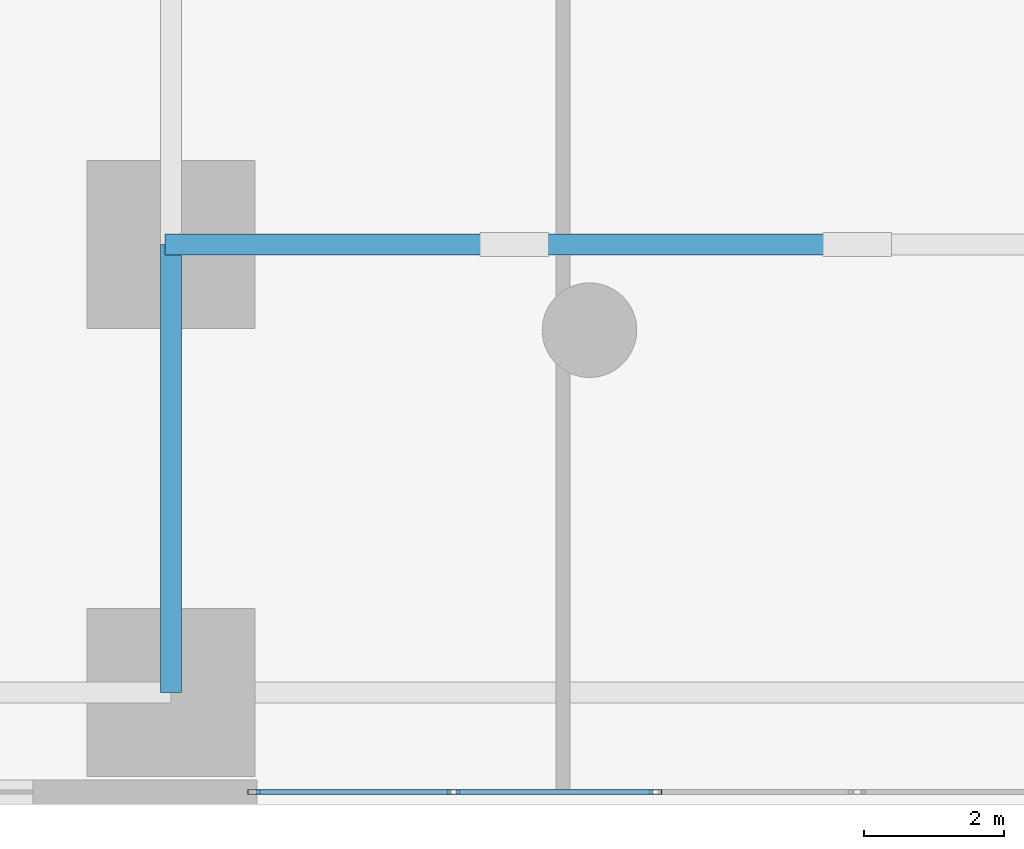
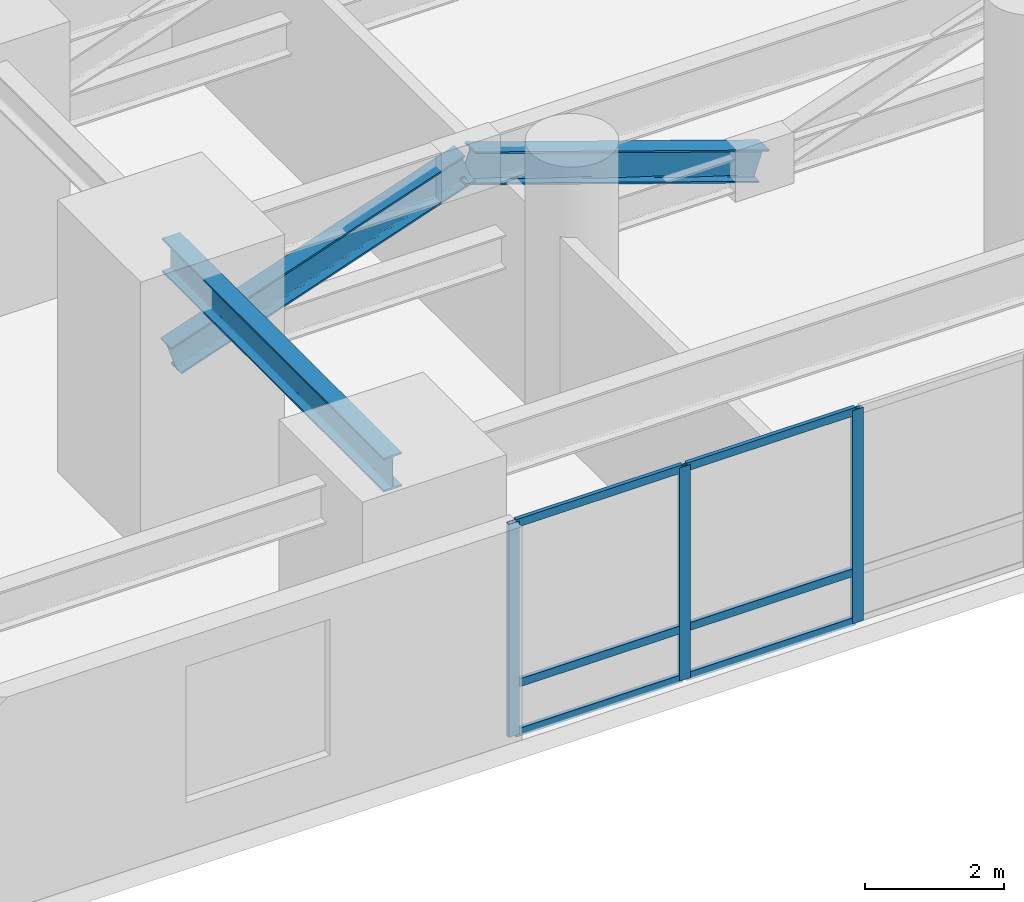
# One storey, part 2 of 17: 11 members, 1 beam, 1 element without a shape of its own.
"""IFC4 building model written with IfcOpenShell, lengths in metres."""

import ifcopenshell
import ifcopenshell.guid

model = None  # the IFC model being written
_history = None  # IfcOwnerHistory: only IFC2X3 demands one
_inside = {}  # id of a spatial element -> (the spatial element, [elements in it])
_under = {}  # id of a project, library or spatial element -> (it, [spatial elements below it])
_declared = {}  # id of a project -> (the project, [libraries it declares])
_typed = {}  # id of a type object -> (the type object, [elements of that type])
_made_of = {}  # id of a material, layer set ... -> (it, [elements and type objects made of it])


def new_model(schema):
    """Start an empty IFC model of exactly this schema.

    Asked for "IFC4X3", IfcOpenShell would pick the latest addendum, in which some entities
    have other attributes; the version numbers below select the first issue.
    IFC2X3 requires an IfcOwnerHistory on every rooted entity: one is made here for all.
    """
    global model, _history
    if schema == "IFC4X3":
        model = ifcopenshell.file(schema_version=(4, 3, 0, 0))
    else:
        model = ifcopenshell.file(schema=schema)
    _inside.clear()
    _under.clear()
    _declared.clear()
    _typed.clear()
    _made_of.clear()
    _history = None
    if model.schema == "IFC2X3":
        org = make("IfcOrganization", Name="unknown")
        user = make(
            "IfcPersonAndOrganization",
            ThePerson=make("IfcPerson", FamilyName="unknown"),
            TheOrganization=org,
        )
        app = make(
            "IfcApplication",
            ApplicationDeveloper=org,
            Version="unknown",
            ApplicationFullName="unknown",
            ApplicationIdentifier="unknown",
        )
        _history = make(
            "IfcOwnerHistory",
            OwningUser=user,
            OwningApplication=app,
            ChangeAction="ADDED",
            CreationDate=0,
        )
    return model


def make(cls, **values):
    """One entity of the class cls with the attributes given. An attribute that is None is left unset."""
    return model.create_entity(
        cls, **{name: value for name, value in values.items() if value is not None}
    )


def rooted(cls, **values):
    """An entity with a GlobalId (a new one), such as an element, a storey or a relation."""
    return make(cls, GlobalId=ifcopenshell.guid.new(), OwnerHistory=_history, **values)


def si_unit(unit_type, name, prefix=None):
    """IfcSIUnit, for example si_unit("LENGTHUNIT", "METRE", prefix="MILLI")."""
    return make("IfcSIUnit", UnitType=unit_type, Prefix=prefix, Name=name)


def assignment(units):
    """IfcUnitAssignment: the units of a project."""
    return None if units is None else make("IfcUnitAssignment", Units=units)


def point(xyz):
    """IfcCartesianPoint."""
    return None if xyz is None else make("IfcCartesianPoint", Coordinates=xyz)


def direction(xyz):
    """IfcDirection."""
    return None if xyz is None else make("IfcDirection", DirectionRatios=xyz)


def frame(location, z_axis=None, x_axis=None):
    """IfcAxis2Placement3D, a coordinate frame: its origin and axes. An axis left out is left unset."""
    return make(
        "IfcAxis2Placement3D",
        Location=point(location),
        Axis=direction(z_axis),
        RefDirection=direction(x_axis),
    )


def frame_2d(location, x_axis=None):
    """IfcAxis2Placement2D, a coordinate frame in the plane: its origin and x axis."""
    return make(
        "IfcAxis2Placement2D", Location=point(location), RefDirection=direction(x_axis)
    )


def origin():
    """The frame at (0, 0, 0) with its axes left unset."""
    return frame((0.0, 0.0, 0.0))


def origin_2d():
    """The frame at (0, 0) in the plane with its x axis left unset."""
    return frame_2d((0.0, 0.0))


def place(relative_to, where):
    """IfcLocalPlacement: puts the frame where relative to a parent placement (None: the world)."""
    return make(
        "IfcLocalPlacement", PlacementRelTo=relative_to, RelativePlacement=where
    )


def context(
    kind, dimensions, precision=None, world=None, true_north=None, identifier=None
):
    """IfcGeometricRepresentationContext, for example the 3D "Model" context."""
    return make(
        "IfcGeometricRepresentationContext",
        ContextIdentifier=identifier,
        ContextType=kind,
        CoordinateSpaceDimension=dimensions,
        Precision=precision,
        WorldCoordinateSystem=world,
        TrueNorth=true_north,
    )


def subcontext(parent, identifier, kind, view, scale=None):
    """IfcGeometricRepresentationSubContext, for example "Body" below "Model"."""
    return make(
        "IfcGeometricRepresentationSubContext",
        ContextIdentifier=identifier,
        ContextType=kind,
        ParentContext=parent,
        TargetScale=scale,
        TargetView=view,
    )


def project(units=None, contexts=None):
    """IfcProject with its units and contexts."""
    return rooted(
        "IfcProject",
        Name="project",
        RepresentationContexts=contexts,
        UnitsInContext=assignment(units),
    )


def spatial(cls, under=None, at=None, **own):
    """A site, building, storey or space (cls), placed at a placement, below another one or the project."""
    s = rooted(cls, ObjectPlacement=at, **own)
    if under is not None:
        _under.setdefault(under.id(), (under, []))[1].append(s)
    return s


def profile(cls, at=None, kind="AREA", **sizes):
    """A parametric profile (cls). Its sizes go by their IFC names, for example OverallWidth=200.0."""
    return make(cls, ProfileType=kind, Position=at, **sizes)


def hollow_rectangle(**sizes):
    """IfcRectangleHollowProfileDef."""
    return profile("IfcRectangleHollowProfileDef", **sizes)


def i_section(**sizes):
    """IfcIShapeProfileDef."""
    return profile("IfcIShapeProfileDef", **sizes)


def extrude(swept, where, along, depth):
    """IfcExtrudedAreaSolid: the profile swept, set in the frame where, extruded along a direction by depth."""
    return make(
        "IfcExtrudedAreaSolid",
        SweptArea=swept,
        Position=where,
        ExtrudedDirection=direction(along),
        Depth=depth,
    )


def shape(context_of_items, identifier, shape_type, items):
    """IfcShapeRepresentation: the items that make up one representation, for example the "Body"."""
    return make(
        "IfcShapeRepresentation",
        ContextOfItems=context_of_items,
        RepresentationIdentifier=identifier,
        RepresentationType=shape_type,
        Items=items,
    )


def material(Name=None, Category=None):
    """IfcMaterial."""
    return make("IfcMaterial", Name=Name, Category=Category)


def layer(
    of_material, thickness, ventilated=None, Name=None, Category=None, Priority=None
):
    """IfcMaterialLayer: one layer of a wall or slab, of a material (None: an air gap)."""
    return make(
        "IfcMaterialLayer",
        Material=of_material,
        LayerThickness=thickness,
        IsVentilated=ventilated,
        Name=Name,
        Category=Category,
        Priority=Priority,
    )


def layer_set(layers, Name=None):
    """IfcMaterialLayerSet."""
    return make("IfcMaterialLayerSet", MaterialLayers=layers, LayerSetName=Name)


def material_profile(
    of_material, cross_section, Name=None, Category=None, Priority=None
):
    """IfcMaterialProfile: a cross section and its material."""
    return make(
        "IfcMaterialProfile",
        Name=Name,
        Material=of_material,
        Profile=cross_section,
        Priority=Priority,
        Category=Category,
    )


def profile_set(profiles, Name=None, composite=None):
    """IfcMaterialProfileSet."""
    return make(
        "IfcMaterialProfileSet",
        Name=Name,
        MaterialProfiles=profiles,
        CompositeProfile=composite,
    )


def made_of(thing, what):
    """Note that an element or type object is made of a material, layer set ...; save() writes the relation."""
    if what is not None:
        _made_of.setdefault(what.id(), (what, []))[1].append(thing)
    return thing


def type_object(cls, material=None, **own):
    """A type object (cls), such as IfcWallType, which elements share."""
    return made_of(rooted(cls, **own), material)


def element(
    cls,
    number,
    at=None,
    inside=None,
    cuts=None,
    type_object=None,
    material=None,
    context=None,
    identifier="Body",
    shape_type=None,
    held_by="IfcProductDefinitionShape",
    body=None,
    shapes=None,
    **own,
):
    """One element of the class cls, such as IfcWall. Its Tag is "e" and its number.

    at: its placement. inside: the storey or other place that contains it. cuts: it is an
    opening in that element (IfcRelVoidsElement). A single representation is given by context,
    identifier, shape_type and body (its items); several are given by shapes. held_by: the class
    of the entity that holds the representations. save() writes the other relations.
    """
    e = rooted(cls, Tag="e%d" % number, ObjectPlacement=at, **own)
    if body is not None:
        shapes = [shape(context, identifier, shape_type, body)]
    if shapes is not None:
        e.Representation = make(held_by, Representations=shapes)
    if inside is not None:
        _inside.setdefault(inside.id(), (inside, []))[1].append(e)
    if cuts is not None:
        rooted(
            "IfcRelVoidsElement", RelatingBuildingElement=cuts, RelatedOpeningElement=e
        )
    if type_object is not None:
        _typed.setdefault(type_object.id(), (type_object, []))[1].append(e)
    return made_of(e, material)


def aggregate(whole, parts):
    """IfcRelAggregates: a whole, such as a stair, and the parts it consists of."""
    return rooted("IfcRelAggregates", RelatingObject=whole, RelatedObjects=parts)


def save(model, path):
    """Write the relations noted so far, then the file.

    IfcRelAggregates (storeys below a building ...), IfcRelContainedInSpatialStructure (elements
    in a storey), IfcRelDefinesByType, IfcRelAssociatesMaterial and IfcRelDeclares: one each for
    every whole, place, type object, material and project.
    """
    for whole, parts in _under.values():
        aggregate(whole, parts)
    for where, things in _inside.values():
        rooted(
            "IfcRelContainedInSpatialStructure",
            RelatedElements=things,
            RelatingStructure=where,
        )
    for kind, things in _typed.values():
        rooted("IfcRelDefinesByType", RelatedObjects=things, RelatingType=kind)
    for what, things in _made_of.values():
        rooted("IfcRelAssociatesMaterial", RelatedObjects=things, RelatingMaterial=what)
    for by, libraries in _declared.values():
        rooted("IfcRelDeclares", RelatingContext=by, RelatedDefinitions=libraries)
    model.write(path)


model = new_model("IFC4")

# Units and contexts
model_context = context("Model", 3, precision=1e-05, world=origin(), true_north=direction((0.0, 1.0)))
body_context = subcontext(model_context, "Body", "Model", "MODEL_VIEW")
ifc_project = project(units=[si_unit("LENGTHUNIT", "METRE"), si_unit("AREAUNIT", "SQUARE_METRE"), si_unit("VOLUMEUNIT", "CUBIC_METRE"), si_unit("PLANEANGLEUNIT", "RADIAN"), si_unit("MASSUNIT", "GRAM", prefix="KILO"), si_unit("THERMODYNAMICTEMPERATUREUNIT", "KELVIN"), si_unit("POWERUNIT", "WATT")], contexts=[model_context])

# Site, building, storey
site_placement = place(None, origin())
site = spatial("IfcSite", under=ifc_project, at=site_placement, CompositionType="ELEMENT")
building_placement = place(site_placement, origin())
building = spatial("IfcBuilding", under=site, at=building_placement, Name="Ocrelia Relay Tower", CompositionType="ELEMENT")
storey_placement = place(building_placement, frame((0.0, 0.0, 20.39990234375)))
storey = spatial("IfcBuildingStorey", under=building, at=storey_placement, Name="L04", CompositionType="ELEMENT", Elevation=20.39990234375)

# Beam
ifc_material_1 = material(Name="Steel S355", Category="steel")
ifc_material_profile_1 = material_profile(ifc_material_1, i_section(OverallWidth=0.300048828125, OverallDepth=0.60009765625, WebThickness=0.015380859375, FlangeThickness=0.030029296875, FilletRadius=0.027099609375, at=origin_2d()), Name="HEB 600")
ifc_profile_set_1 = profile_set([ifc_material_profile_1], Name="Steel S355")
beam_type = type_object("IfcBeamType", Name="BM-HEB600", PredefinedType="BEAM", material=ifc_profile_set_1)
beam_placement = place(storey_placement, frame((24.199951171875, 1.60009765625, 4.18017578125), z_axis=(0.0, 1.0, 0.0), x_axis=(-1.0, 0.0, 0.0)))
element("IfcBeam", 1, at=beam_placement, inside=storey, type_object=beam_type, Name="L04 Pier Line Tie Girder AW-1", PredefinedType="BEAM", context=body_context, shape_type="SweptSolid", body=[
    extrude(i_section(OverallWidth=0.300048828125, OverallDepth=0.60009765625, WebThickness=0.015380859375, FlangeThickness=0.030029296875, FilletRadius=0.027099609375, at=origin_2d()), origin(), (0.0, 0.0, 1.0), 6.39990234375),
])

# Curtain wall, members
ifc_material_2 = material(Name="Aluminium and solar-control low-E glass", Category="aluminium")
ifc_layer = layer(ifc_material_2, 0.179931640625, Name="Aluminium and solar-control low-E glass")
ifc_layer_set = layer_set([ifc_layer], Name="Aluminium and solar-control low-E glass")
curtain_wall_type = type_object("IfcCurtainWallType", Name="CW-SYS-POD-GALL", PredefinedType="NOTDEFINED", material=ifc_layer_set)
curtain_wall_placement = place(storey_placement, origin())
curtain_wall = element("IfcCurtainWall", 2, at=curtain_wall_placement, inside=storey, type_object=curtain_wall_type, Name="L04 South Over-Arch Curtain Wall West", PredefinedType="NOTDEFINED")
ifc_material_3 = material(Name="Anodised bronze aluminium", Category="aluminium")
ifc_material_profile_2 = material_profile(ifc_material_3, hollow_rectangle(XDim=0.070068359375, YDim=0.179931640625, WallThickness=0.006103515625, at=origin_2d()), Name="CW-MUL-180x70")
ifc_profile_set_2 = profile_set([ifc_material_profile_2], Name="Anodised bronze aluminium")
member_type_1 = type_object("IfcMemberType", Name="CW-SYS-POD-GALL-MUL", PredefinedType="MULLION", material=ifc_profile_set_2)
member_1_placement = place(storey_placement, frame((25.385009765625, 0.179931640625, 0.0), z_axis=(0.0, 0.0, 1.0), x_axis=(0.0, 1.0, 0.0)))
member_1 = element("IfcMember", 3, at=member_1_placement, type_object=member_type_1, Name="CW-PG mullion 1", PredefinedType="MULLION", context=body_context, shape_type="SweptSolid", body=[
    extrude(hollow_rectangle(XDim=0.070068359375, YDim=0.179931640625, WallThickness=0.006103515625, at=origin_2d()), origin(), (0.0, 0.0, 1.0), 3.760009765625),
])
member_2_placement = place(storey_placement, frame((28.2333984375, 0.179931640625, 0.0), z_axis=(0.0, 0.0, 1.0), x_axis=(0.0, 1.0, 0.0)))
member_2 = element("IfcMember", 4, at=member_2_placement, type_object=member_type_1, Name="CW-PG mullion 2", PredefinedType="MULLION", context=body_context, shape_type="SweptSolid", body=[
    extrude(hollow_rectangle(XDim=0.070068359375, YDim=0.179931640625, WallThickness=0.006103515625, at=origin_2d()), origin(), (0.0, 0.0, 1.0), 3.760009765625),
])
member_3_placement = place(storey_placement, frame((31.11669921875, 0.179931640625, 0.0), z_axis=(0.0, 0.0, 1.0), x_axis=(0.0, 1.0, 0.0)))
member_3 = element("IfcMember", 5, at=member_3_placement, type_object=member_type_1, Name="CW-PG mullion 3", PredefinedType="MULLION", context=body_context, shape_type="SweptSolid", body=[
    extrude(hollow_rectangle(XDim=0.070068359375, YDim=0.179931640625, WallThickness=0.006103515625, at=origin_2d()), origin(), (0.0, 0.0, 1.0), 3.760009765625),
])
ifc_material_profile_3 = material_profile(ifc_material_3, hollow_rectangle(XDim=0.06494140625, YDim=0.139892578125, WallThickness=0.0048828125, at=origin_2d()), Name="CW-TRN-140x65")
ifc_profile_set_3 = profile_set([ifc_material_profile_3], Name="Anodised bronze aluminium")
member_type_2 = type_object("IfcMemberType", Name="CW-SYS-POD-GALL-TRN", PredefinedType="USERDEFINED", material=ifc_profile_set_3)
member_4_placement = place(storey_placement, frame((25.419921875, 0.179931640625, 0.03271484375), z_axis=(1.0, 0.0, 0.0), x_axis=(0.0, 1.0, 0.0)))
member_4 = element("IfcMember", 6, at=member_4_placement, type_object=member_type_2, Name="CW-PG transom 1.1", ObjectType="TRANSOM", PredefinedType="USERDEFINED", context=body_context, shape_type="SweptSolid", body=[
    extrude(hollow_rectangle(XDim=0.06494140625, YDim=0.139892578125, WallThickness=0.0048828125, at=origin_2d()), origin(), (0.0, 0.0, 1.0), 2.7783203125),
])
member_5_placement = place(storey_placement, frame((25.419921875, 0.179931640625, 0.900146484375), z_axis=(1.0, 0.0, 0.0), x_axis=(0.0, 1.0, 0.0)))
member_5 = element("IfcMember", 7, at=member_5_placement, type_object=member_type_2, Name="CW-PG transom 1.2", ObjectType="TRANSOM", PredefinedType="USERDEFINED", context=body_context, shape_type="SweptSolid", body=[
    extrude(hollow_rectangle(XDim=0.06494140625, YDim=0.139892578125, WallThickness=0.0048828125, at=origin_2d()), origin(), (0.0, 0.0, 1.0), 2.7783203125),
])
member_6_placement = place(storey_placement, frame((25.419921875, 0.179931640625, 3.7275390625), z_axis=(1.0, 0.0, 0.0), x_axis=(0.0, 1.0, 0.0)))
member_6 = element("IfcMember", 8, at=member_6_placement, type_object=member_type_2, Name="CW-PG transom 1.3", ObjectType="TRANSOM", PredefinedType="USERDEFINED", context=body_context, shape_type="SweptSolid", body=[
    extrude(hollow_rectangle(XDim=0.06494140625, YDim=0.139892578125, WallThickness=0.0048828125, at=origin_2d()), origin(), (0.0, 0.0, 1.0), 2.7783203125),
])
member_7_placement = place(storey_placement, frame((28.268310546875, 0.179931640625, 0.03271484375), z_axis=(1.0, 0.0, 0.0), x_axis=(0.0, 1.0, 0.0)))
member_7 = element("IfcMember", 9, at=member_7_placement, type_object=member_type_2, Name="CW-PG transom 2.1", ObjectType="TRANSOM", PredefinedType="USERDEFINED", context=body_context, shape_type="SweptSolid", body=[
    extrude(hollow_rectangle(XDim=0.06494140625, YDim=0.139892578125, WallThickness=0.0048828125, at=origin_2d()), origin(), (0.0, 0.0, 1.0), 2.8134765625),
])
member_8_placement = place(storey_placement, frame((28.268310546875, 0.179931640625, 0.900146484375), z_axis=(1.0, 0.0, 0.0), x_axis=(0.0, 1.0, 0.0)))
member_8 = element("IfcMember", 10, at=member_8_placement, type_object=member_type_2, Name="CW-PG transom 2.2", ObjectType="TRANSOM", PredefinedType="USERDEFINED", context=body_context, shape_type="SweptSolid", body=[
    extrude(hollow_rectangle(XDim=0.06494140625, YDim=0.139892578125, WallThickness=0.0048828125, at=origin_2d()), origin(), (0.0, 0.0, 1.0), 2.8134765625),
])
member_9_placement = place(storey_placement, frame((28.268310546875, 0.179931640625, 3.7275390625), z_axis=(1.0, 0.0, 0.0), x_axis=(0.0, 1.0, 0.0)))
member_9 = element("IfcMember", 11, at=member_9_placement, type_object=member_type_2, Name="CW-PG transom 2.3", ObjectType="TRANSOM", PredefinedType="USERDEFINED", context=body_context, shape_type="SweptSolid", body=[
    extrude(hollow_rectangle(XDim=0.06494140625, YDim=0.139892578125, WallThickness=0.0048828125, at=origin_2d()), origin(), (0.0, 0.0, 1.0), 2.8134765625),
])
aggregate(curtain_wall, [member_1, member_2, member_3, member_4, member_5, member_6, member_7, member_8, member_9])

# Members
ifc_material_profile_4 = material_profile(ifc_material_1, i_section(OverallWidth=0.300048828125, OverallDepth=0.550048828125, WebThickness=0.014892578125, FlangeThickness=0.029052734375, FilletRadius=0.027099609375, at=origin_2d()), Name="HEB 550")
ifc_profile_set_4 = profile_set([ifc_material_profile_4], Name="Steel S355")
member_type_3 = type_object("IfcMemberType", Name="MB-ARCH-DIAG", PredefinedType="BRACE", material=ifc_profile_set_4)
member_10_placement = place(storey_placement, frame((24.199951171875, 8.0, 2.35009765625), z_axis=(0.945952968798, 0.0, 0.324303840282), x_axis=(0.0, 1.0, 0.0)))
element("IfcMember", 12, at=member_10_placement, inside=storey, type_object=member_type_3, Name="L04 Warren Transfer Truss Diagonal S-1", PredefinedType="BRACE", context=body_context, shape_type="SweptSolid", body=[
    extrude(i_section(OverallWidth=0.300048828125, OverallDepth=0.550048828125, WebThickness=0.014892578125, FlangeThickness=0.029052734375, FilletRadius=0.027099609375, at=origin_2d()), origin(), (0.0, 0.0, 1.0), 5.18017578125),
])
member_11_placement = place(storey_placement, frame((29.10009765625, 8.0, 4.030029296875), z_axis=(0.945948011629, 0.0, -0.324318299353), x_axis=(0.0, 1.0, 0.0)))
element("IfcMember", 13, at=member_11_placement, inside=storey, type_object=member_type_3, Name="L04 Warren Transfer Truss Diagonal S-2", PredefinedType="BRACE", context=body_context, shape_type="SweptSolid", body=[
    extrude(i_section(OverallWidth=0.300048828125, OverallDepth=0.550048828125, WebThickness=0.014892578125, FlangeThickness=0.029052734375, FilletRadius=0.027099609375, at=origin_2d()), origin(), (0.0, 0.0, 1.0), 5.179931640625),
])

save(model, "model.ifc")
